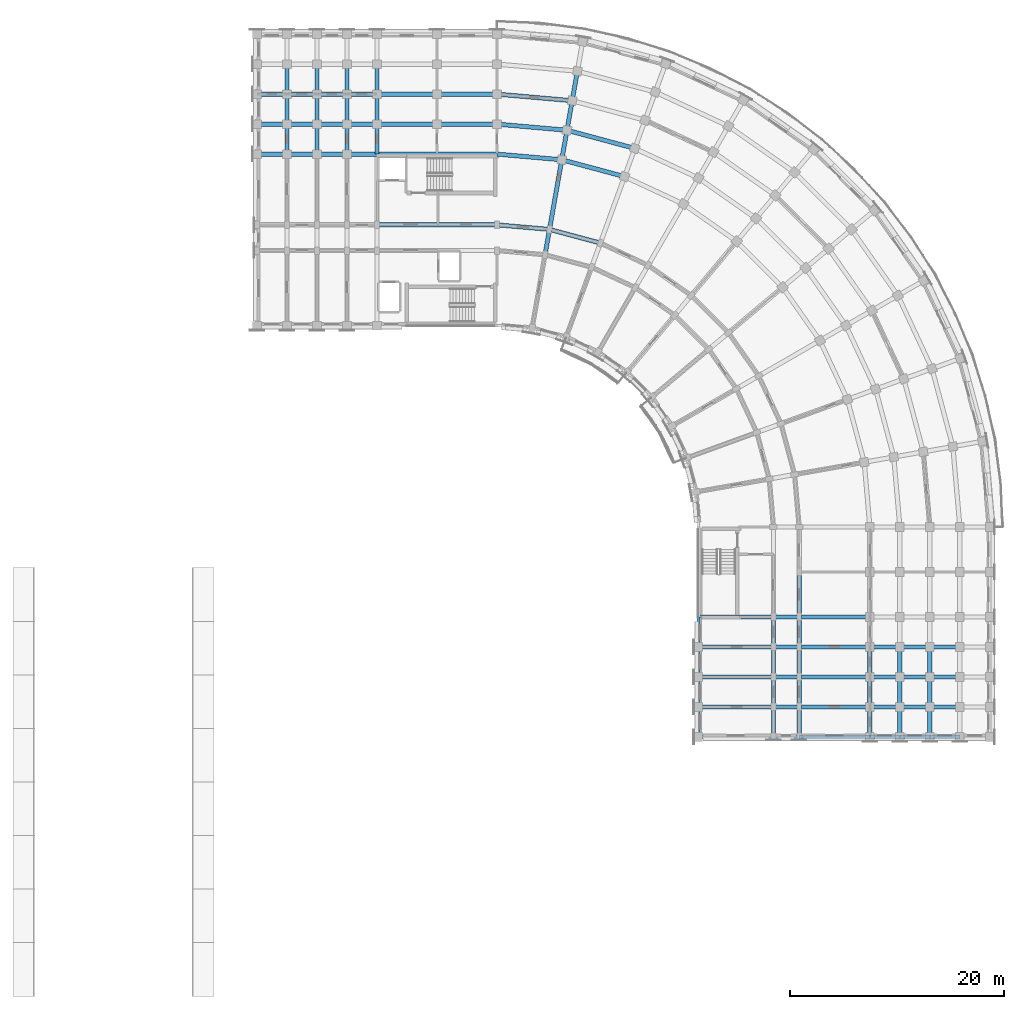
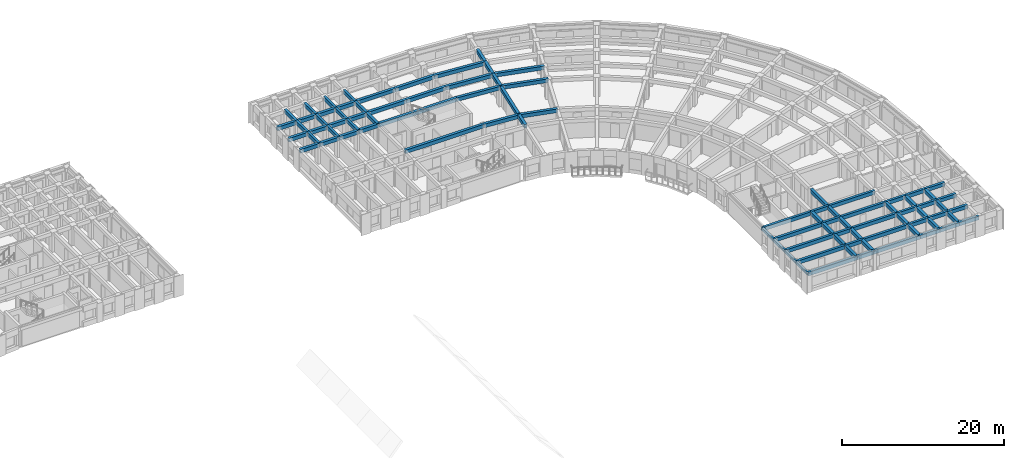
# One storey, part 10 of 54: 91 beams.
"""IFC4 building model written with IfcOpenShell, lengths in metres."""

from ifc_helpers import new_model, si_unit, direction, frame, origin, origin_2d, place, context, subcontext, project, spatial, rectangle, extrude, material, material_profile, profile_set, type_object, element, save


model = new_model("IFC4")

# Units and contexts
model_context = context("Model", 3, precision=1e-05, world=origin(), true_north=direction((0.0, 1.0)))
body_context = subcontext(model_context, "Body", "Model", "MODEL_VIEW")
ifc_project = project(units=[si_unit("LENGTHUNIT", "METRE"), si_unit("AREAUNIT", "SQUARE_METRE"), si_unit("VOLUMEUNIT", "CUBIC_METRE"), si_unit("PLANEANGLEUNIT", "RADIAN"), si_unit("MASSUNIT", "GRAM", prefix="KILO")], contexts=[model_context])

# Site, building, storey
site_placement = place(None, origin())
site = spatial("IfcSite", under=ifc_project, at=site_placement, CompositionType="ELEMENT")
building_placement = place(site_placement, origin())
building = spatial("IfcBuilding", under=site, at=building_placement, Name="Kiranvali Square Residences", CompositionType="ELEMENT")
storey_placement = place(building_placement, frame((0.0, 0.0, 11.85009765625)))
storey = spatial("IfcBuildingStorey", under=building, at=storey_placement, Name="L03", CompositionType="ELEMENT", Elevation=11.85009765625)

# Beams
ifc_material_1 = material(Name="Concrete M40 (40 MPa)", Category="concrete")
ifc_material_profile_1 = material_profile(ifc_material_1, rectangle(XDim=0.35009765625, YDim=0.550048828125, at=origin_2d()), Name="RC 350x550")
ifc_profile_set_1 = profile_set([ifc_material_profile_1], Name="Concrete M40 (40 MPa)")
beam_type_1 = type_object("IfcBeamType", Name="BM-M40-350x550", PredefinedType="BEAM", material=ifc_profile_set_1)
beam_1_placement = place(storey_placement, frame((108.60009765625, 122.60009765625, 2.65478515625), z_axis=(0.0, 1.0, 0.0), x_axis=(-1.0, 0.0, 0.0)))
element("IfcBeam", 1, at=beam_1_placement, inside=storey, type_object=beam_type_1, Name="L03 beam BM-B-L03-A1T1-34", PredefinedType="BEAM", context=body_context, shape_type="SweptSolid", body=[
    extrude(rectangle(XDim=0.35009765625, YDim=0.550048828125, at=origin_2d()), origin(), (0.0, 0.0, 1.0), 2.7998046875),
])
for number, where, z_axis, x_axis, name in (
    (2, (108.60009765625, 125.39990234375, 2.65478515625), (0.0, 1.0, 0.0), (-1.0, 0.0, 0.0), "L03 beam BM-B-L03-A1T1-45"),
    (3, (108.60009765625, 128.199951171875, 2.65478515625), (0.0, 1.0, 0.0), (-1.0, 0.0, 0.0), "L03 beam BM-B-L03-A1T1-56"),
):
    element("IfcBeam", number, at=place(storey_placement, frame(where, z_axis=z_axis, x_axis=x_axis)), inside=storey, type_object=beam_type_1, Name=name, PredefinedType="BEAM", context=body_context, shape_type="SweptSolid", body=[
        extrude(rectangle(XDim=0.35009765625, YDim=0.550048828125, at=origin_2d()), origin(), (0.0, 0.0, 1.0), 2.800048828125),
    ])
beam_2_placement = place(storey_placement, frame((105.800048828125, 122.60009765625, 2.65478515625), z_axis=(0.0, 1.0, 0.0), x_axis=(-1.0, 0.0, 0.0)))
element("IfcBeam", 4, at=beam_2_placement, inside=storey, type_object=beam_type_1, Name="L03 beam BM-B-L03-A1T2-34", PredefinedType="BEAM", context=body_context, shape_type="SweptSolid", body=[
    extrude(rectangle(XDim=0.35009765625, YDim=0.550048828125, at=origin_2d()), origin(), (0.0, 0.0, 1.0), 2.7998046875),
])
for number, where, z_axis, x_axis, name in (
    (5, (105.800048828125, 125.39990234375, 2.65478515625), (0.0, 1.0, 0.0), (-1.0, 0.0, 0.0), "L03 beam BM-B-L03-A1T2-45"),
    (6, (105.800048828125, 128.199951171875, 2.65478515625), (0.0, 1.0, 0.0), (-1.0, 0.0, 0.0), "L03 beam BM-B-L03-A1T2-56"),
):
    element("IfcBeam", number, at=place(storey_placement, frame(where, z_axis=z_axis, x_axis=x_axis)), inside=storey, type_object=beam_type_1, Name=name, PredefinedType="BEAM", context=body_context, shape_type="SweptSolid", body=[
        extrude(rectangle(XDim=0.35009765625, YDim=0.550048828125, at=origin_2d()), origin(), (0.0, 0.0, 1.0), 2.800048828125),
    ])
beam_3_placement = place(storey_placement, frame((103.0, 122.60009765625, 2.65478515625), z_axis=(0.0, 1.0, 0.0), x_axis=(-1.0, 0.0, 0.0)))
element("IfcBeam", 7, at=beam_3_placement, inside=storey, type_object=beam_type_1, Name="L03 beam BM-B-L03-A1T3-34", PredefinedType="BEAM", context=body_context, shape_type="SweptSolid", body=[
    extrude(rectangle(XDim=0.35009765625, YDim=0.550048828125, at=origin_2d()), origin(), (0.0, 0.0, 1.0), 2.7998046875),
])
for number, where, z_axis, x_axis, name in (
    (8, (103.0, 125.39990234375, 2.65478515625), (0.0, 1.0, 0.0), (-1.0, 0.0, 0.0), "L03 beam BM-B-L03-A1T3-45"),
    (9, (103.0, 128.199951171875, 2.65478515625), (0.0, 1.0, 0.0), (-1.0, 0.0, 0.0), "L03 beam BM-B-L03-A1T3-56"),
):
    element("IfcBeam", number, at=place(storey_placement, frame(where, z_axis=z_axis, x_axis=x_axis)), inside=storey, type_object=beam_type_1, Name=name, PredefinedType="BEAM", context=body_context, shape_type="SweptSolid", body=[
        extrude(rectangle(XDim=0.35009765625, YDim=0.550048828125, at=origin_2d()), origin(), (0.0, 0.0, 1.0), 2.800048828125),
    ])
beam_4_placement = place(storey_placement, frame((100.199951171875, 122.60009765625, 2.65478515625), z_axis=(0.0, 1.0, 0.0), x_axis=(-1.0, 0.0, 0.0)))
element("IfcBeam", 10, at=beam_4_placement, inside=storey, type_object=beam_type_1, Name="L03 beam BM-B-L03-A1T4-34", PredefinedType="BEAM", context=body_context, shape_type="SweptSolid", body=[
    extrude(rectangle(XDim=0.35009765625, YDim=0.550048828125, at=origin_2d()), origin(), (0.0, 0.0, 1.0), 2.7998046875),
])
for number, where, z_axis, x_axis, name in (
    (11, (100.199951171875, 125.39990234375, 2.65478515625), (0.0, 1.0, 0.0), (-1.0, 0.0, 0.0), "L03 beam BM-B-L03-A1T4-45"),
    (12, (100.199951171875, 128.199951171875, 2.65478515625), (0.0, 1.0, 0.0), (-1.0, 0.0, 0.0), "L03 beam BM-B-L03-A1T4-56"),
):
    element("IfcBeam", number, at=place(storey_placement, frame(where, z_axis=z_axis, x_axis=x_axis)), inside=storey, type_object=beam_type_1, Name=name, PredefinedType="BEAM", context=body_context, shape_type="SweptSolid", body=[
        extrude(rectangle(XDim=0.35009765625, YDim=0.550048828125, at=origin_2d()), origin(), (0.0, 0.0, 1.0), 2.800048828125),
    ])
beam_5_placement = place(storey_placement, frame((138.60009765625, 79.39990234375, 2.65478515625), z_axis=(1.0, 0.0, 0.0), x_axis=(0.0, 1.0, 0.0)))
element("IfcBeam", 13, at=beam_5_placement, inside=storey, type_object=beam_type_1, Name="L03 beam BM-B-L03-A2T1-01", PredefinedType="BEAM", context=body_context, shape_type="SweptSolid", body=[
    extrude(rectangle(XDim=0.35009765625, YDim=0.550048828125, at=origin_2d()), origin(), (0.0, 0.0, 1.0), 7.0),
])
beam_6_placement = place(storey_placement, frame((145.60009765625, 79.39990234375, 2.65478515625), z_axis=(1.0, 0.0, 0.0), x_axis=(0.0, 1.0, 0.0)))
element("IfcBeam", 14, at=beam_6_placement, inside=storey, type_object=beam_type_1, Name="L03 beam BM-B-L03-A2T1-12", PredefinedType="BEAM", context=body_context, shape_type="SweptSolid", body=[
    extrude(rectangle(XDim=0.35009765625, YDim=0.550048828125, at=origin_2d()), origin(), (0.0, 0.0, 1.0), 2.39990234375),
])
beam_7_placement = place(storey_placement, frame((148.0, 79.39990234375, 2.65478515625), z_axis=(1.0, 0.0, 0.0), x_axis=(0.0, 1.0, 0.0)))
element("IfcBeam", 15, at=beam_7_placement, inside=storey, type_object=beam_type_1, Name="L03 beam BM-B-L03-A2T1-23", PredefinedType="BEAM", context=body_context, shape_type="SweptSolid", body=[
    extrude(rectangle(XDim=0.35009765625, YDim=0.550048828125, at=origin_2d()), origin(), (0.0, 0.0, 1.0), 6.60009765625),
])
beam_8_placement = place(storey_placement, frame((138.60009765625, 76.60009765625, 2.65478515625), z_axis=(1.0, 0.0, 0.0), x_axis=(0.0, 1.0, 0.0)))
element("IfcBeam", 16, at=beam_8_placement, inside=storey, type_object=beam_type_1, Name="L03 beam BM-B-L03-A2T2-01", PredefinedType="BEAM", context=body_context, shape_type="SweptSolid", body=[
    extrude(rectangle(XDim=0.35009765625, YDim=0.550048828125, at=origin_2d()), origin(), (0.0, 0.0, 1.0), 7.0),
])
beam_9_placement = place(storey_placement, frame((145.60009765625, 76.60009765625, 2.65478515625), z_axis=(1.0, 0.0, 0.0), x_axis=(0.0, 1.0, 0.0)))
element("IfcBeam", 17, at=beam_9_placement, inside=storey, type_object=beam_type_1, Name="L03 beam BM-B-L03-A2T2-12", PredefinedType="BEAM", context=body_context, shape_type="SweptSolid", body=[
    extrude(rectangle(XDim=0.35009765625, YDim=0.550048828125, at=origin_2d()), origin(), (0.0, 0.0, 1.0), 2.39990234375),
])
beam_10_placement = place(storey_placement, frame((148.0, 76.60009765625, 2.65478515625), z_axis=(1.0, 0.0, 0.0), x_axis=(0.0, 1.0, 0.0)))
element("IfcBeam", 18, at=beam_10_placement, inside=storey, type_object=beam_type_1, Name="L03 beam BM-B-L03-A2T2-23", PredefinedType="BEAM", context=body_context, shape_type="SweptSolid", body=[
    extrude(rectangle(XDim=0.35009765625, YDim=0.550048828125, at=origin_2d()), origin(), (0.0, 0.0, 1.0), 6.60009765625),
])
beam_11_placement = place(storey_placement, frame((154.60009765625, 76.60009765625, 2.65478515625), z_axis=(1.0, 0.0, 0.0), x_axis=(0.0, 1.0, 0.0)))
element("IfcBeam", 19, at=beam_11_placement, inside=storey, type_object=beam_type_1, Name="L03 beam BM-B-L03-A2T2-34", PredefinedType="BEAM", context=body_context, shape_type="SweptSolid", body=[
    extrude(rectangle(XDim=0.35009765625, YDim=0.550048828125, at=origin_2d()), origin(), (0.0, 0.0, 1.0), 2.7998046875),
])
for number, where, z_axis, x_axis, name in (
    (20, (157.39990234375, 76.60009765625, 2.65478515625), (1.0, 0.0, 0.0), (0.0, 1.0, 0.0), "L03 beam BM-B-L03-A2T2-45"),
    (21, (160.199951171875, 76.60009765625, 2.65478515625), (1.0, 0.0, 0.0), (0.0, 1.0, 0.0), "L03 beam BM-B-L03-A2T2-56"),
):
    element("IfcBeam", number, at=place(storey_placement, frame(where, z_axis=z_axis, x_axis=x_axis)), inside=storey, type_object=beam_type_1, Name=name, PredefinedType="BEAM", context=body_context, shape_type="SweptSolid", body=[
        extrude(rectangle(XDim=0.35009765625, YDim=0.550048828125, at=origin_2d()), origin(), (0.0, 0.0, 1.0), 2.800048828125),
    ])
beam_12_placement = place(storey_placement, frame((138.60009765625, 73.800048828125, 2.65478515625), z_axis=(1.0, 0.0, 0.0), x_axis=(0.0, 1.0, 0.0)))
element("IfcBeam", 22, at=beam_12_placement, inside=storey, type_object=beam_type_1, Name="L03 beam BM-B-L03-A2T3-01", PredefinedType="BEAM", context=body_context, shape_type="SweptSolid", body=[
    extrude(rectangle(XDim=0.35009765625, YDim=0.550048828125, at=origin_2d()), origin(), (0.0, 0.0, 1.0), 7.0),
])
beam_13_placement = place(storey_placement, frame((145.60009765625, 73.800048828125, 2.65478515625), z_axis=(1.0, 0.0, 0.0), x_axis=(0.0, 1.0, 0.0)))
element("IfcBeam", 23, at=beam_13_placement, inside=storey, type_object=beam_type_1, Name="L03 beam BM-B-L03-A2T3-12", PredefinedType="BEAM", context=body_context, shape_type="SweptSolid", body=[
    extrude(rectangle(XDim=0.35009765625, YDim=0.550048828125, at=origin_2d()), origin(), (0.0, 0.0, 1.0), 2.39990234375),
])
beam_14_placement = place(storey_placement, frame((148.0, 73.800048828125, 2.65478515625), z_axis=(1.0, 0.0, 0.0), x_axis=(0.0, 1.0, 0.0)))
element("IfcBeam", 24, at=beam_14_placement, inside=storey, type_object=beam_type_1, Name="L03 beam BM-B-L03-A2T3-23", PredefinedType="BEAM", context=body_context, shape_type="SweptSolid", body=[
    extrude(rectangle(XDim=0.35009765625, YDim=0.550048828125, at=origin_2d()), origin(), (0.0, 0.0, 1.0), 6.60009765625),
])
beam_15_placement = place(storey_placement, frame((154.60009765625, 73.800048828125, 2.65478515625), z_axis=(1.0, 0.0, 0.0), x_axis=(0.0, 1.0, 0.0)))
element("IfcBeam", 25, at=beam_15_placement, inside=storey, type_object=beam_type_1, Name="L03 beam BM-B-L03-A2T3-34", PredefinedType="BEAM", context=body_context, shape_type="SweptSolid", body=[
    extrude(rectangle(XDim=0.35009765625, YDim=0.550048828125, at=origin_2d()), origin(), (0.0, 0.0, 1.0), 2.7998046875),
])
for number, where, z_axis, x_axis, name in (
    (26, (157.39990234375, 73.800048828125, 2.65478515625), (1.0, 0.0, 0.0), (0.0, 1.0, 0.0), "L03 beam BM-B-L03-A2T3-45"),
    (27, (160.199951171875, 73.800048828125, 2.65478515625), (1.0, 0.0, 0.0), (0.0, 1.0, 0.0), "L03 beam BM-B-L03-A2T3-56"),
):
    element("IfcBeam", number, at=place(storey_placement, frame(where, z_axis=z_axis, x_axis=x_axis)), inside=storey, type_object=beam_type_1, Name=name, PredefinedType="BEAM", context=body_context, shape_type="SweptSolid", body=[
        extrude(rectangle(XDim=0.35009765625, YDim=0.550048828125, at=origin_2d()), origin(), (0.0, 0.0, 1.0), 2.800048828125),
    ])
beam_16_placement = place(storey_placement, frame((138.60009765625, 71.0, 2.65478515625), z_axis=(1.0, 0.0, 0.0), x_axis=(0.0, 1.0, 0.0)))
element("IfcBeam", 28, at=beam_16_placement, inside=storey, type_object=beam_type_1, Name="L03 beam BM-B-L03-A2T4-01", PredefinedType="BEAM", context=body_context, shape_type="SweptSolid", body=[
    extrude(rectangle(XDim=0.35009765625, YDim=0.550048828125, at=origin_2d()), origin(), (0.0, 0.0, 1.0), 7.0),
])
beam_17_placement = place(storey_placement, frame((145.60009765625, 71.0, 2.65478515625), z_axis=(1.0, 0.0, 0.0), x_axis=(0.0, 1.0, 0.0)))
element("IfcBeam", 29, at=beam_17_placement, inside=storey, type_object=beam_type_1, Name="L03 beam BM-B-L03-A2T4-12", PredefinedType="BEAM", context=body_context, shape_type="SweptSolid", body=[
    extrude(rectangle(XDim=0.35009765625, YDim=0.550048828125, at=origin_2d()), origin(), (0.0, 0.0, 1.0), 2.39990234375),
])
beam_18_placement = place(storey_placement, frame((148.0, 71.0, 2.65478515625), z_axis=(1.0, 0.0, 0.0), x_axis=(0.0, 1.0, 0.0)))
element("IfcBeam", 30, at=beam_18_placement, inside=storey, type_object=beam_type_1, Name="L03 beam BM-B-L03-A2T4-23", PredefinedType="BEAM", context=body_context, shape_type="SweptSolid", body=[
    extrude(rectangle(XDim=0.35009765625, YDim=0.550048828125, at=origin_2d()), origin(), (0.0, 0.0, 1.0), 6.60009765625),
])
beam_19_placement = place(storey_placement, frame((154.60009765625, 71.0, 2.65478515625), z_axis=(1.0, 0.0, 0.0), x_axis=(0.0, 1.0, 0.0)))
element("IfcBeam", 31, at=beam_19_placement, inside=storey, type_object=beam_type_1, Name="L03 beam BM-B-L03-A2T4-34", PredefinedType="BEAM", context=body_context, shape_type="SweptSolid", body=[
    extrude(rectangle(XDim=0.35009765625, YDim=0.550048828125, at=origin_2d()), origin(), (0.0, 0.0, 1.0), 2.7998046875),
])
for number, where, z_axis, x_axis, name in (
    (32, (157.39990234375, 71.0, 2.65478515625), (1.0, 0.0, 0.0), (0.0, 1.0, 0.0), "L03 beam BM-B-L03-A2T4-45"),
    (33, (160.199951171875, 71.0, 2.65478515625), (1.0, 0.0, 0.0), (0.0, 1.0, 0.0), "L03 beam BM-B-L03-A2T4-56"),
):
    element("IfcBeam", number, at=place(storey_placement, frame(where, z_axis=z_axis, x_axis=x_axis)), inside=storey, type_object=beam_type_1, Name=name, PredefinedType="BEAM", context=body_context, shape_type="SweptSolid", body=[
        extrude(rectangle(XDim=0.35009765625, YDim=0.550048828125, at=origin_2d()), origin(), (0.0, 0.0, 1.0), 2.800048828125),
    ])
beam_20_placement = place(storey_placement, frame((138.60009765625, 68.199951171875, 2.65478515625), z_axis=(1.0, 0.0, 0.0), x_axis=(0.0, 1.0, 0.0)))
element("IfcBeam", 34, at=beam_20_placement, inside=storey, type_object=beam_type_1, Name="L03 beam BM-B-L03-A2T5-01", PredefinedType="BEAM", context=body_context, shape_type="SweptSolid", body=[
    extrude(rectangle(XDim=0.35009765625, YDim=0.550048828125, at=origin_2d()), origin(), (0.0, 0.0, 1.0), 7.0),
])
beam_21_placement = place(storey_placement, frame((145.60009765625, 68.199951171875, 2.65478515625), z_axis=(1.0, 0.0, 0.0), x_axis=(0.0, 1.0, 0.0)))
element("IfcBeam", 35, at=beam_21_placement, inside=storey, type_object=beam_type_1, Name="L03 beam BM-B-L03-A2T5-12", PredefinedType="BEAM", context=body_context, shape_type="SweptSolid", body=[
    extrude(rectangle(XDim=0.35009765625, YDim=0.550048828125, at=origin_2d()), origin(), (0.0, 0.0, 1.0), 2.39990234375),
])
beam_22_placement = place(storey_placement, frame((148.0, 68.199951171875, 2.65478515625), z_axis=(1.0, 0.0, 0.0), x_axis=(0.0, 1.0, 0.0)))
element("IfcBeam", 36, at=beam_22_placement, inside=storey, type_object=beam_type_1, Name="L03 beam BM-B-L03-A2T5-23", PredefinedType="BEAM", context=body_context, shape_type="SweptSolid", body=[
    extrude(rectangle(XDim=0.35009765625, YDim=0.550048828125, at=origin_2d()), origin(), (0.0, 0.0, 1.0), 6.60009765625),
])
beam_23_placement = place(storey_placement, frame((154.60009765625, 68.199951171875, 2.65478515625), z_axis=(1.0, 0.0, 0.0), x_axis=(0.0, 1.0, 0.0)))
element("IfcBeam", 37, at=beam_23_placement, inside=storey, type_object=beam_type_1, Name="L03 beam BM-B-L03-A2T5-34", PredefinedType="BEAM", context=body_context, shape_type="SweptSolid", body=[
    extrude(rectangle(XDim=0.35009765625, YDim=0.550048828125, at=origin_2d()), origin(), (0.0, 0.0, 1.0), 2.7998046875),
])
for number, where, z_axis, x_axis, name in (
    (38, (157.39990234375, 68.199951171875, 2.65478515625), (1.0, 0.0, 0.0), (0.0, 1.0, 0.0), "L03 beam BM-B-L03-A2T5-45"),
    (39, (160.199951171875, 68.199951171875, 2.65478515625), (1.0, 0.0, 0.0), (0.0, 1.0, 0.0), "L03 beam BM-B-L03-A2T5-56"),
):
    element("IfcBeam", number, at=place(storey_placement, frame(where, z_axis=z_axis, x_axis=x_axis)), inside=storey, type_object=beam_type_1, Name=name, PredefinedType="BEAM", context=body_context, shape_type="SweptSolid", body=[
        extrude(rectangle(XDim=0.35009765625, YDim=0.550048828125, at=origin_2d()), origin(), (0.0, 0.0, 1.0), 2.800048828125),
    ])
ifc_material_2 = material(Name="Concrete M45 (45 MPa)", Category="concrete")
ifc_material_profile_2 = material_profile(ifc_material_2, rectangle(XDim=0.39990234375, YDim=0.550048828125, at=origin_2d()), Name="RC 400x550")
ifc_profile_set_2 = profile_set([ifc_material_profile_2], Name="Concrete M45 (45 MPa)")
beam_type_2 = type_object("IfcBeamType", Name="BM-M45-400x550", PredefinedType="BEAM", material=ifc_profile_set_2)
beam_24_placement = place(storey_placement, frame((119.800048828125, 116.0, 2.65478515625), z_axis=(0.996193663584, -0.087167566415, 0.0), x_axis=(0.087167566415, 0.996193663584, 0.0)))
element("IfcBeam", 40, at=beam_24_placement, inside=storey, type_object=beam_type_2, Name="L03 beam BM-B-L03-C00-R2", PredefinedType="BEAM", context=body_context, shape_type="SweptSolid", body=[
    extrude(rectangle(XDim=0.39990234375, YDim=0.550048828125, at=origin_2d()), origin(), (0.0, 0.0, 1.0), 4.91552734375),
])
beam_25_placement = place(storey_placement, frame((119.800048828125, 122.60009765625, 2.65478515625), z_axis=(0.996193018494, -0.087174938512, 0.0), x_axis=(0.087174938512, 0.996193018494, 0.0)))
element("IfcBeam", 41, at=beam_25_placement, inside=storey, type_object=beam_type_2, Name="L03 beam BM-B-L03-C00-R3", PredefinedType="BEAM", context=body_context, shape_type="SweptSolid", body=[
    extrude(rectangle(XDim=0.39990234375, YDim=0.550048828125, at=origin_2d()), origin(), (0.0, 0.0, 1.0), 6.066162109375),
])
beam_26_placement = place(storey_placement, frame((119.800048828125, 125.39990234375, 2.65478515625), z_axis=(0.996196991902, -0.0871295204, 0.0), x_axis=(0.0871295204, 0.996196991902, 0.0)))
element("IfcBeam", 42, at=beam_26_placement, inside=storey, type_object=beam_type_2, Name="L03 beam BM-B-L03-C00-R4", PredefinedType="BEAM", context=body_context, shape_type="SweptSolid", body=[
    extrude(rectangle(XDim=0.39990234375, YDim=0.550048828125, at=origin_2d()), origin(), (0.0, 0.0, 1.0), 6.553955078125),
])
beam_27_placement = place(storey_placement, frame((119.800048828125, 128.199951171875, 2.65478515625), z_axis=(0.996194658198, -0.087156198737, 0.0), x_axis=(0.087156198737, 0.996194658198, 0.0)))
element("IfcBeam", 43, at=beam_27_placement, inside=storey, type_object=beam_type_2, Name="L03 beam BM-B-L03-C00-R5", PredefinedType="BEAM", context=body_context, shape_type="SweptSolid", body=[
    extrude(rectangle(XDim=0.39990234375, YDim=0.550048828125, at=origin_2d()), origin(), (0.0, 0.0, 1.0), 7.042236328125),
])
beam_28_placement = place(storey_placement, frame((124.69677734375, 115.571533203125, 2.65478515625), z_axis=(0.965930095386, -0.258803112091, 0.0), x_axis=(0.258803112091, 0.965930095386, 0.0)))
element("IfcBeam", 44, at=beam_28_placement, inside=storey, type_object=beam_type_2, Name="L03 beam BM-B-L03-C01-R2", PredefinedType="BEAM", context=body_context, shape_type="SweptSolid", body=[
    extrude(rectangle(XDim=0.39990234375, YDim=0.550048828125, at=origin_2d()), origin(), (0.0, 0.0, 1.0), 4.915771484375),
])
beam_29_placement = place(storey_placement, frame((125.843017578125, 122.0712890625, 2.65478515625), z_axis=(0.965923618901, -0.258827283048, 0.0), x_axis=(0.258827283048, 0.965923618901, 0.0)))
element("IfcBeam", 45, at=beam_29_placement, inside=storey, type_object=beam_type_2, Name="L03 beam BM-B-L03-C01-R3", PredefinedType="BEAM", context=body_context, shape_type="SweptSolid", body=[
    extrude(rectangle(XDim=0.39990234375, YDim=0.550048828125, at=origin_2d()), origin(), (0.0, 0.0, 1.0), 6.066162109375),
])
beam_30_placement = place(storey_placement, frame((126.3291015625, 124.828857421875, 2.65478515625), z_axis=(0.965918287583, -0.258847178297, 0.0), x_axis=(0.258847178297, 0.965918287583, 0.0)))
element("IfcBeam", 46, at=beam_30_placement, inside=storey, type_object=beam_type_2, Name="L03 beam BM-B-L03-C01-R4", PredefinedType="BEAM", context=body_context, shape_type="SweptSolid", body=[
    extrude(rectangle(XDim=0.39990234375, YDim=0.550048828125, at=origin_2d()), origin(), (0.0, 0.0, 1.0), 6.55419921875),
])
beam_31_placement = place(storey_placement, frame((124.280029296875, 113.2080078125, 2.65478515625), z_axis=(0.173646056486, 0.984808127031, 0.0), x_axis=(-0.984808127031, 0.173646056486, 0.0)))
element("IfcBeam", 47, at=beam_31_placement, inside=storey, type_object=beam_type_2, Name="L03 beam BM-B-L03-RAD01-12", PredefinedType="BEAM", context=body_context, shape_type="SweptSolid", body=[
    extrude(rectangle(XDim=0.39990234375, YDim=0.550048828125, at=origin_2d()), origin(), (0.0, 0.0, 1.0), 2.39990234375),
])
beam_32_placement = place(storey_placement, frame((124.69677734375, 115.571533203125, 2.65478515625), z_axis=(0.173671381499, 0.984803661269, 0.0), x_axis=(-0.984803661269, 0.173671381499, 0.0)))
element("IfcBeam", 48, at=beam_32_placement, inside=storey, type_object=beam_type_2, Name="L03 beam BM-B-L03-RAD01-23", PredefinedType="BEAM", context=body_context, shape_type="SweptSolid", body=[
    extrude(rectangle(XDim=0.39990234375, YDim=0.550048828125, at=origin_2d()), origin(), (0.0, 0.0, 1.0), 6.60009765625),
])
beam_33_placement = place(storey_placement, frame((125.843017578125, 122.0712890625, 2.65478515625), z_axis=(0.173596320392, 0.984816895441, 0.0), x_axis=(-0.984816895441, 0.173596320392, 0.0)))
element("IfcBeam", 49, at=beam_33_placement, inside=storey, type_object=beam_type_2, Name="L03 beam BM-B-L03-RAD01-34", PredefinedType="BEAM", context=body_context, shape_type="SweptSolid", body=[
    extrude(rectangle(XDim=0.39990234375, YDim=0.550048828125, at=origin_2d()), origin(), (0.0, 0.0, 1.0), 2.800048828125),
])
beam_34_placement = place(storey_placement, frame((126.3291015625, 124.828857421875, 2.65478515625), z_axis=(0.173695795656, 0.984799355489, 0.0), x_axis=(-0.984799355489, 0.173695795656, 0.0)))
element("IfcBeam", 50, at=beam_34_placement, inside=storey, type_object=beam_type_2, Name="L03 beam BM-B-L03-RAD01-45", PredefinedType="BEAM", context=body_context, shape_type="SweptSolid", body=[
    extrude(rectangle(XDim=0.39990234375, YDim=0.550048828125, at=origin_2d()), origin(), (0.0, 0.0, 1.0), 2.7998046875),
])
beam_35_placement = place(storey_placement, frame((126.8154296875, 127.586181640625, 2.65478515625), z_axis=(0.173596320392, 0.984816895441, 0.0), x_axis=(-0.984816895441, 0.173596320392, 0.0)))
element("IfcBeam", 51, at=beam_35_placement, inside=storey, type_object=beam_type_2, Name="L03 beam BM-B-L03-RAD01-56", PredefinedType="BEAM", context=body_context, shape_type="SweptSolid", body=[
    extrude(rectangle(XDim=0.39990234375, YDim=0.550048828125, at=origin_2d()), origin(), (0.0, 0.0, 1.0), 2.800048828125),
])
for number, where, z_axis, x_axis, name in (
    (52, (119.800048828125, 116.0, 2.65478515625), (-1.0, 0.0, 0.0), (0.0, -1.0, 0.0), "L03 beam BM-B-L03-A1U0-R2"),
    (53, (119.800048828125, 122.60009765625, 2.65478515625), (-1.0, 0.0, 0.0), (0.0, -1.0, 0.0), "L03 beam BM-B-L03-A1U0-R3"),
):
    element("IfcBeam", number, at=place(storey_placement, frame(where, z_axis=z_axis, x_axis=x_axis)), inside=storey, type_object=beam_type_2, Name=name, PredefinedType="BEAM", context=body_context, shape_type="SweptSolid", body=[
        extrude(rectangle(XDim=0.39990234375, YDim=0.550048828125, at=origin_2d()), origin(), (0.0, 0.0, 1.0), 11.199951171875),
    ])
for number, where, z_axis, x_axis, name in (
    (54, (108.60009765625, 122.60009765625, 2.65478515625), (-1.0, 0.0, 0.0), (0.0, -1.0, 0.0), "L03 beam BM-B-L03-A1U1-R3"),
    (55, (105.800048828125, 122.60009765625, 2.65478515625), (-1.0, 0.0, 0.0), (0.0, -1.0, 0.0), "L03 beam BM-B-L03-A1U2-R3"),
    (56, (103.0, 122.60009765625, 2.65478515625), (-1.0, 0.0, 0.0), (0.0, -1.0, 0.0), "L03 beam BM-B-L03-A1U3-R3"),
    (57, (100.199951171875, 122.60009765625, 2.65478515625), (-1.0, 0.0, 0.0), (0.0, -1.0, 0.0), "L03 beam BM-B-L03-A1U4-R3"),
):
    element("IfcBeam", number, at=place(storey_placement, frame(where, z_axis=z_axis, x_axis=x_axis)), inside=storey, type_object=beam_type_2, Name=name, PredefinedType="BEAM", context=body_context, shape_type="SweptSolid", body=[
        extrude(rectangle(XDim=0.39990234375, YDim=0.550048828125, at=origin_2d()), origin(), (0.0, 0.0, 1.0), 2.800048828125),
    ])
beam_36_placement = place(storey_placement, frame((119.800048828125, 125.39990234375, 2.65478515625), z_axis=(-1.0, 0.0, 0.0), x_axis=(0.0, -1.0, 0.0)))
element("IfcBeam", 58, at=beam_36_placement, inside=storey, type_object=beam_type_2, Name="L03 beam BM-B-L03-A1U0-R4", PredefinedType="BEAM", context=body_context, shape_type="SweptSolid", body=[
    extrude(rectangle(XDim=0.39990234375, YDim=0.550048828125, at=origin_2d()), origin(), (0.0, 0.0, 1.0), 5.60009765625),
])
beam_37_placement = place(storey_placement, frame((114.199951171875, 125.39990234375, 2.65478515625), z_axis=(-1.0, 0.0, 0.0), x_axis=(0.0, -1.0, 0.0)))
element("IfcBeam", 59, at=beam_37_placement, inside=storey, type_object=beam_type_2, Name="L03 beam BM-B-L03-A1U1-R4", PredefinedType="BEAM", context=body_context, shape_type="SweptSolid", body=[
    extrude(rectangle(XDim=0.39990234375, YDim=0.550048828125, at=origin_2d()), origin(), (0.0, 0.0, 1.0), 5.599853515625),
])
for number, where, z_axis, x_axis, name in (
    (60, (108.60009765625, 125.39990234375, 2.65478515625), (-1.0, 0.0, 0.0), (0.0, -1.0, 0.0), "L03 beam BM-B-L03-A1U2-R4"),
    (61, (105.800048828125, 125.39990234375, 2.65478515625), (-1.0, 0.0, 0.0), (0.0, -1.0, 0.0), "L03 beam BM-B-L03-A1U3-R4"),
    (62, (103.0, 125.39990234375, 2.65478515625), (-1.0, 0.0, 0.0), (0.0, -1.0, 0.0), "L03 beam BM-B-L03-A1U4-R4"),
    (63, (100.199951171875, 125.39990234375, 2.65478515625), (-1.0, 0.0, 0.0), (0.0, -1.0, 0.0), "L03 beam BM-B-L03-A1U5-R4"),
):
    element("IfcBeam", number, at=place(storey_placement, frame(where, z_axis=z_axis, x_axis=x_axis)), inside=storey, type_object=beam_type_2, Name=name, PredefinedType="BEAM", context=body_context, shape_type="SweptSolid", body=[
        extrude(rectangle(XDim=0.39990234375, YDim=0.550048828125, at=origin_2d()), origin(), (0.0, 0.0, 1.0), 2.800048828125),
    ])
beam_38_placement = place(storey_placement, frame((119.800048828125, 128.199951171875, 2.65478515625), z_axis=(-1.0, 0.0, 0.0), x_axis=(0.0, -1.0, 0.0)))
element("IfcBeam", 64, at=beam_38_placement, inside=storey, type_object=beam_type_2, Name="L03 beam BM-B-L03-A1U0-R5", PredefinedType="BEAM", context=body_context, shape_type="SweptSolid", body=[
    extrude(rectangle(XDim=0.39990234375, YDim=0.550048828125, at=origin_2d()), origin(), (0.0, 0.0, 1.0), 5.60009765625),
])
beam_39_placement = place(storey_placement, frame((114.199951171875, 128.199951171875, 2.65478515625), z_axis=(-1.0, 0.0, 0.0), x_axis=(0.0, -1.0, 0.0)))
element("IfcBeam", 65, at=beam_39_placement, inside=storey, type_object=beam_type_2, Name="L03 beam BM-B-L03-A1U1-R5", PredefinedType="BEAM", context=body_context, shape_type="SweptSolid", body=[
    extrude(rectangle(XDim=0.39990234375, YDim=0.550048828125, at=origin_2d()), origin(), (0.0, 0.0, 1.0), 5.599853515625),
])
for number, where, z_axis, x_axis, name in (
    (66, (108.60009765625, 128.199951171875, 2.65478515625), (-1.0, 0.0, 0.0), (0.0, -1.0, 0.0), "L03 beam BM-B-L03-A1U2-R5"),
    (67, (105.800048828125, 128.199951171875, 2.65478515625), (-1.0, 0.0, 0.0), (0.0, -1.0, 0.0), "L03 beam BM-B-L03-A1U3-R5"),
    (68, (103.0, 128.199951171875, 2.65478515625), (-1.0, 0.0, 0.0), (0.0, -1.0, 0.0), "L03 beam BM-B-L03-A1U4-R5"),
    (69, (100.199951171875, 128.199951171875, 2.65478515625), (-1.0, 0.0, 0.0), (0.0, -1.0, 0.0), "L03 beam BM-B-L03-A1U5-R5"),
):
    element("IfcBeam", number, at=place(storey_placement, frame(where, z_axis=z_axis, x_axis=x_axis)), inside=storey, type_object=beam_type_2, Name=name, PredefinedType="BEAM", context=body_context, shape_type="SweptSolid", body=[
        extrude(rectangle(XDim=0.39990234375, YDim=0.550048828125, at=origin_2d()), origin(), (0.0, 0.0, 1.0), 2.800048828125),
    ])
beam_40_placement = place(storey_placement, frame((145.60009765625, 79.39990234375, 2.65478515625), z_axis=(0.0, -1.0, 0.0), x_axis=(1.0, 0.0, 0.0)))
element("IfcBeam", 70, at=beam_40_placement, inside=storey, type_object=beam_type_2, Name="L03 beam BM-B-L03-A2V1-R1", PredefinedType="BEAM", context=body_context, shape_type="SweptSolid", body=[
    extrude(rectangle(XDim=0.39990234375, YDim=0.550048828125, at=origin_2d()), origin(), (0.0, 0.0, 1.0), 2.7998046875),
])
for number, where, z_axis, x_axis, name in (
    (71, (145.60009765625, 76.60009765625, 2.65478515625), (0.0, -1.0, 0.0), (1.0, 0.0, 0.0), "L03 beam BM-B-L03-A2V2-R1"),
    (72, (145.60009765625, 73.800048828125, 2.65478515625), (0.0, -1.0, 0.0), (1.0, 0.0, 0.0), "L03 beam BM-B-L03-A2V3-R1"),
    (73, (145.60009765625, 71.0, 2.65478515625), (0.0, -1.0, 0.0), (1.0, 0.0, 0.0), "L03 beam BM-B-L03-A2V4-R1"),
):
    element("IfcBeam", number, at=place(storey_placement, frame(where, z_axis=z_axis, x_axis=x_axis)), inside=storey, type_object=beam_type_2, Name=name, PredefinedType="BEAM", context=body_context, shape_type="SweptSolid", body=[
        extrude(rectangle(XDim=0.39990234375, YDim=0.550048828125, at=origin_2d()), origin(), (0.0, 0.0, 1.0), 2.800048828125),
    ])
beam_41_placement = place(storey_placement, frame((148.0, 83.60009765625, 2.65478515625), z_axis=(0.0, -1.0, 0.0), x_axis=(1.0, 0.0, 0.0)))
element("IfcBeam", 74, at=beam_41_placement, inside=storey, type_object=beam_type_2, Name="L03 beam BM-B-L03-A2V1-R2", PredefinedType="BEAM", context=body_context, shape_type="SweptSolid", body=[
    extrude(rectangle(XDim=0.39990234375, YDim=0.550048828125, at=origin_2d()), origin(), (0.0, 0.0, 1.0), 4.2001953125),
])
beam_42_placement = place(storey_placement, frame((148.0, 79.39990234375, 2.65478515625), z_axis=(0.0, -1.0, 0.0), x_axis=(1.0, 0.0, 0.0)))
element("IfcBeam", 75, at=beam_42_placement, inside=storey, type_object=beam_type_2, Name="L03 beam BM-B-L03-A2V2-R2", PredefinedType="BEAM", context=body_context, shape_type="SweptSolid", body=[
    extrude(rectangle(XDim=0.39990234375, YDim=0.550048828125, at=origin_2d()), origin(), (0.0, 0.0, 1.0), 2.7998046875),
])
for number, where, z_axis, x_axis, name in (
    (76, (148.0, 76.60009765625, 2.65478515625), (0.0, -1.0, 0.0), (1.0, 0.0, 0.0), "L03 beam BM-B-L03-A2V3-R2"),
    (77, (148.0, 73.800048828125, 2.65478515625), (0.0, -1.0, 0.0), (1.0, 0.0, 0.0), "L03 beam BM-B-L03-A2V4-R2"),
    (78, (148.0, 71.0, 2.65478515625), (0.0, -1.0, 0.0), (1.0, 0.0, 0.0), "L03 beam BM-B-L03-A2V5-R2"),
    (79, (154.60009765625, 76.60009765625, 2.65478515625), (0.0, -1.0, 0.0), (1.0, 0.0, 0.0), "L03 beam BM-B-L03-A2V3-R3"),
    (80, (154.60009765625, 73.800048828125, 2.65478515625), (0.0, -1.0, 0.0), (1.0, 0.0, 0.0), "L03 beam BM-B-L03-A2V4-R3"),
    (81, (154.60009765625, 71.0, 2.65478515625), (0.0, -1.0, 0.0), (1.0, 0.0, 0.0), "L03 beam BM-B-L03-A2V5-R3"),
    (82, (157.39990234375, 76.60009765625, 2.65478515625), (0.0, -1.0, 0.0), (1.0, 0.0, 0.0), "L03 beam BM-B-L03-A2V3-R4"),
    (83, (157.39990234375, 73.800048828125, 2.65478515625), (0.0, -1.0, 0.0), (1.0, 0.0, 0.0), "L03 beam BM-B-L03-A2V4-R4"),
    (84, (157.39990234375, 71.0, 2.65478515625), (0.0, -1.0, 0.0), (1.0, 0.0, 0.0), "L03 beam BM-B-L03-A2V5-R4"),
    (85, (160.199951171875, 76.60009765625, 2.65478515625), (0.0, -1.0, 0.0), (1.0, 0.0, 0.0), "L03 beam BM-B-L03-A2V3-R5"),
    (86, (160.199951171875, 73.800048828125, 2.65478515625), (0.0, -1.0, 0.0), (1.0, 0.0, 0.0), "L03 beam BM-B-L03-A2V4-R5"),
    (87, (160.199951171875, 71.0, 2.65478515625), (0.0, -1.0, 0.0), (1.0, 0.0, 0.0), "L03 beam BM-B-L03-A2V5-R5"),
):
    element("IfcBeam", number, at=place(storey_placement, frame(where, z_axis=z_axis, x_axis=x_axis)), inside=storey, type_object=beam_type_2, Name=name, PredefinedType="BEAM", context=body_context, shape_type="SweptSolid", body=[
        extrude(rectangle(XDim=0.39990234375, YDim=0.550048828125, at=origin_2d()), origin(), (0.0, 0.0, 1.0), 2.800048828125),
    ])
ifc_material_profile_3 = material_profile(ifc_material_1, rectangle(XDim=0.25, YDim=0.449951171875, at=origin_2d()), Name="RC 250x450")
ifc_profile_set_3 = profile_set([ifc_material_profile_3], Name="Concrete M40 (40 MPa)")
beam_type_3 = type_object("IfcBeamType", Name="SPN-M40-250x450", PredefinedType="SPANDREL", material=ifc_profile_set_3)
beam_43_placement = place(storey_placement, frame((138.60009765625, 79.39990234375, 2.704833984375), z_axis=(0.0, -1.0, 0.0), x_axis=(1.0, 0.0, 0.0)))
element("IfcBeam", 88, at=beam_43_placement, inside=storey, type_object=beam_type_3, Name="L03 beam BM-B-L03-A2V1-R0", PredefinedType="SPANDREL", context=body_context, shape_type="SweptSolid", body=[
    extrude(rectangle(XDim=0.25, YDim=0.449951171875, at=origin_2d()), origin(), (0.0, 0.0, 1.0), 2.7998046875),
])
for number, where, z_axis, x_axis, name in (
    (89, (138.60009765625, 76.60009765625, 2.704833984375), (0.0, -1.0, 0.0), (1.0, 0.0, 0.0), "L03 beam BM-B-L03-A2V2-R0"),
    (90, (138.60009765625, 73.800048828125, 2.704833984375), (0.0, -1.0, 0.0), (1.0, 0.0, 0.0), "L03 beam BM-B-L03-A2V3-R0"),
    (91, (138.60009765625, 71.0, 2.704833984375), (0.0, -1.0, 0.0), (1.0, 0.0, 0.0), "L03 beam BM-B-L03-A2V4-R0"),
):
    element("IfcBeam", number, at=place(storey_placement, frame(where, z_axis=z_axis, x_axis=x_axis)), inside=storey, type_object=beam_type_3, Name=name, PredefinedType="SPANDREL", context=body_context, shape_type="SweptSolid", body=[
        extrude(rectangle(XDim=0.25, YDim=0.449951171875, at=origin_2d()), origin(), (0.0, 0.0, 1.0), 2.800048828125),
    ])

save(model, "model.ifc")
